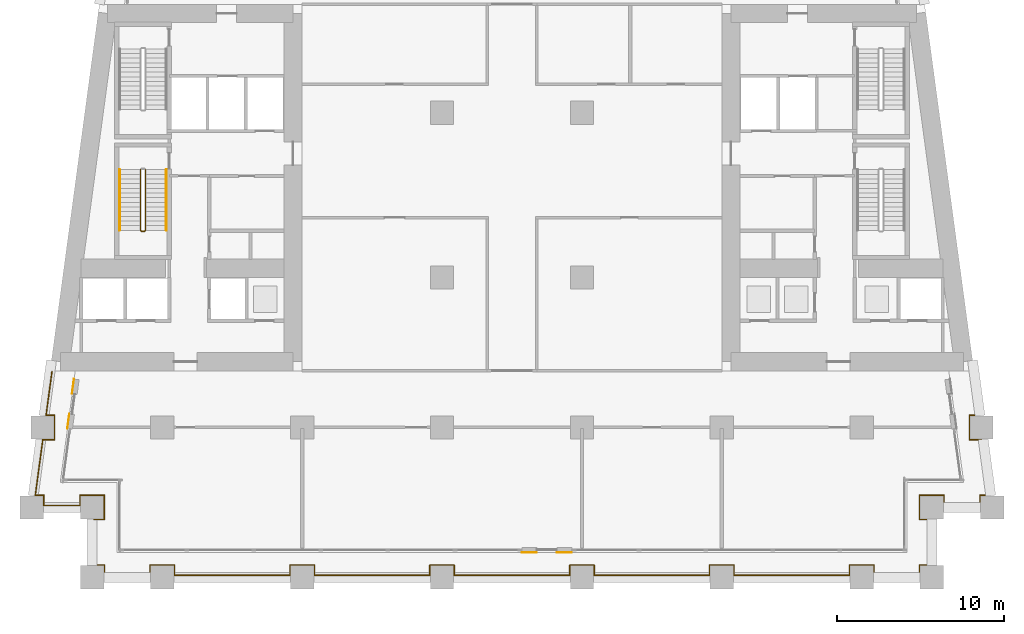
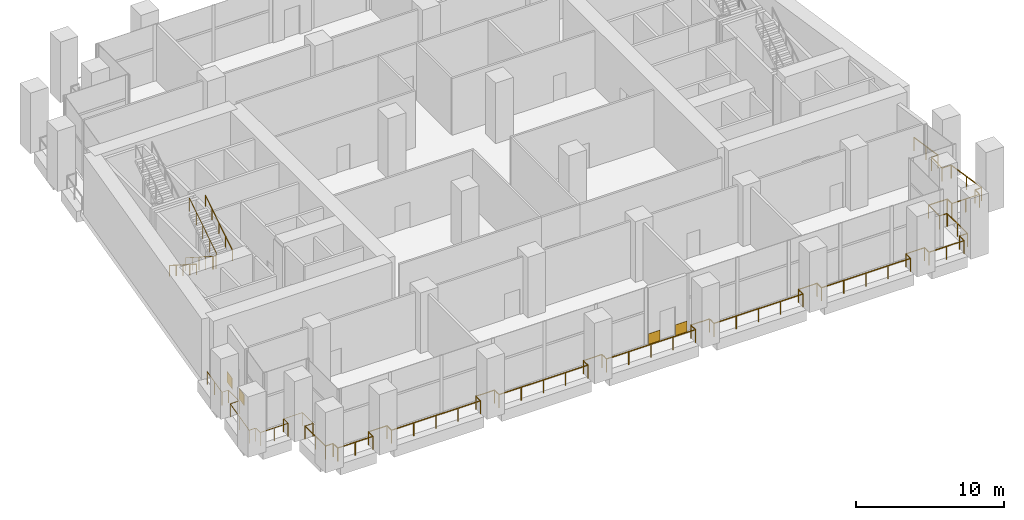
# One storey, part 11 of 15: 5 railings, 4 coverings.
"""IFC4 building model written with IfcOpenShell, lengths in metres."""

from ifc_helpers import new_model, si_unit, direction, frame, origin, origin_2d, place, context, subcontext, project, spatial, rectangle, circle, extrude, material, layer, layer_set, type_object, element, save


model = new_model("IFC4")

# Units and contexts
model_context = context("Model", 3, precision=1e-05, world=origin(), true_north=direction((0.0, 1.0)))
body_context = subcontext(model_context, "Body", "Model", "MODEL_VIEW")
ifc_project = project(units=[si_unit("LENGTHUNIT", "METRE"), si_unit("AREAUNIT", "SQUARE_METRE"), si_unit("VOLUMEUNIT", "CUBIC_METRE"), si_unit("PLANEANGLEUNIT", "RADIAN"), si_unit("MASSUNIT", "GRAM", prefix="KILO")], contexts=[model_context])

# Site, building, storey
site_placement = place(None, origin())
site = spatial("IfcSite", under=ifc_project, at=site_placement, CompositionType="ELEMENT")
building_placement = place(site_placement, origin())
building = spatial("IfcBuilding", under=site, at=building_placement, Name="Candeia Pilgrim Tower and Theatre", CompositionType="ELEMENT")
storey_placement = place(building_placement, frame((0.0, 0.0, 86.0)))
storey = spatial("IfcBuildingStorey", under=building, at=storey_placement, Name="L19", CompositionType="ELEMENT", Elevation=86.0)

# Railings
ifc_material_1 = material(Name="Stainless steel balustrade", Category="steel")
railing_type_1 = type_object("IfcRailingType", Name="G1 loggia guard 1100", PredefinedType="GUARDRAIL", material=ifc_material_1)
railing_1_placement = place(storey_placement, frame((88.320068359375, 101.469970703125, 0.0)))
element("IfcRailing", 1, at=railing_1_placement, inside=storey, type_object=railing_type_1, Name="Guard L19.1", PredefinedType="GUARDRAIL", context=body_context, shape_type="SweptSolid", body=[
    extrude(circle(Radius=0.02392578125, at=origin_2d()), frame((0.0, 0.0, 1.076171875), z_axis=(1.0, 0.0, 0.0), x_axis=(0.0, 1.0, 0.0)), (0.0, 0.0, 1.0), 0.60986328125),
    extrude(circle(Radius=0.02392578125, at=origin_2d()), frame((0.60986328125, 0.0, 1.076171875), z_axis=(0.0, 1.0, 0.0), x_axis=(-1.0, 0.0, 0.0)), (0.0, 0.0, 1.0), 1.4599609375),
    extrude(circle(Radius=0.02392578125, at=origin_2d()), frame((0.60986328125, 1.4599609375, 1.076171875), z_axis=(-1.0, 0.0, 0.0), x_axis=(0.0, -1.0, 0.0)), (0.0, 0.0, 1.0), 1.4599609375),
    extrude(circle(Radius=0.02392578125, at=origin_2d()), frame((-0.85009765625, 1.4599609375, 1.076171875), z_axis=(0.0, -1.0, 0.0), x_axis=(1.0, 0.0, 0.0)), (0.0, 0.0, 1.0), 0.60986328125),
    extrude(circle(Radius=0.02392578125, at=origin_2d()), frame((-0.85009765625, 0.85009765625, 1.076171875), z_axis=(-1.0, 0.0, 0.0), x_axis=(0.0, -1.0, 0.0)), (0.0, 0.0, 1.0), 2.174560546875),
    extrude(circle(Radius=0.02392578125, at=origin_2d()), frame((-3.024658203125, 0.85009765625, 1.076171875), z_axis=(0.0, 1.0, 0.0), x_axis=(-1.0, 0.0, 0.0)), (0.0, 0.0, 1.0), 0.60986328125),
    extrude(circle(Radius=0.02392578125, at=origin_2d()), frame((-3.024658203125, 1.4599609375, 1.076171875), z_axis=(-1.0, 0.0, 0.0), x_axis=(0.0, -1.0, 0.0)), (0.0, 0.0, 1.0), 0.5107421875),
    extrude(circle(Radius=0.02392578125, at=origin_2d()), frame((-3.535400390625, 1.4599609375, 1.076171875), z_axis=(0.133435273035, 0.991057530071, 0.0), x_axis=(-0.991057530071, 0.133435273035, 0.0)), (0.0, 0.0, 1.0), 3.3701171875),
    extrude(circle(Radius=0.02392578125, at=origin_2d()), frame((-3.085693359375, 4.800048828125, 1.076171875), z_axis=(1.0, 0.0, 0.0), x_axis=(0.0, 1.0, 0.0)), (0.0, 0.0, 1.0), 0.707275390625),
    extrude(circle(Radius=0.02392578125, at=origin_2d()), frame((-2.37841796875, 4.800048828125, 1.076171875), z_axis=(0.0, 1.0, 0.0), x_axis=(-1.0, 0.0, 0.0)), (0.0, 0.0, 1.0), 1.4599609375),
    extrude(circle(Radius=0.02392578125, at=origin_2d()), frame((-2.37841796875, 6.260009765625, 1.076171875), z_axis=(-1.0, 0.0, 0.0), x_axis=(0.0, -1.0, 0.0)), (0.0, 0.0, 1.0), 0.5107421875),
    extrude(circle(Radius=0.02392578125, at=origin_2d()), frame((-2.88916015625, 6.260009765625, 1.076171875), z_axis=(0.133439920495, 0.991056904329, 0.0), x_axis=(-0.991056904329, 0.133439920495, 0.0)), (0.0, 0.0, 1.0), 2.643798828125),
    extrude(circle(Radius=0.02099609375, at=origin_2d()), origin(), (0.0, 0.0, 1.0), 1.052001953125),
    extrude(circle(Radius=0.02099609375, at=origin_2d()), frame((0.60986328125, 0.0, 0.0)), (0.0, 0.0, 1.0), 1.052001953125),
    extrude(circle(Radius=0.02099609375, at=origin_2d()), frame((0.60986328125, 1.4599609375, 0.0)), (0.0, 0.0, 1.0), 1.052001953125),
    extrude(circle(Radius=0.02099609375, at=origin_2d()), frame((-0.85009765625, 1.4599609375, 0.0)), (0.0, 0.0, 1.0), 1.052001953125),
    extrude(circle(Radius=0.02099609375, at=origin_2d()), frame((-0.85009765625, 0.85009765625, 0.0)), (0.0, 0.0, 1.0), 1.052001953125),
    extrude(circle(Radius=0.02099609375, at=origin_2d()), frame((-1.9375, 0.85009765625, 0.0)), (0.0, 0.0, 1.0), 1.052001953125),
    extrude(circle(Radius=0.02099609375, at=origin_2d()), frame((-3.024658203125, 0.85009765625, 0.0)), (0.0, 0.0, 1.0), 1.052001953125),
    extrude(circle(Radius=0.02099609375, at=origin_2d()), frame((-3.024658203125, 1.4599609375, 0.0)), (0.0, 0.0, 1.0), 1.052001953125),
    extrude(circle(Radius=0.02099609375, at=origin_2d()), frame((-3.535400390625, 1.4599609375, 0.0)), (0.0, 0.0, 1.0), 1.052001953125),
    extrude(circle(Radius=0.02099609375, at=origin_2d()), frame((-3.310546875, 3.1298828125, 0.0)), (0.0, 0.0, 1.0), 1.052001953125),
    extrude(circle(Radius=0.02099609375, at=origin_2d()), frame((-3.085693359375, 4.800048828125, 0.0)), (0.0, 0.0, 1.0), 1.052001953125),
    extrude(circle(Radius=0.02099609375, at=origin_2d()), frame((-2.37841796875, 4.800048828125, 0.0)), (0.0, 0.0, 1.0), 1.052001953125),
    extrude(circle(Radius=0.02099609375, at=origin_2d()), frame((-2.37841796875, 6.260009765625, 0.0)), (0.0, 0.0, 1.0), 1.052001953125),
    extrude(circle(Radius=0.02099609375, at=origin_2d()), frame((-2.88916015625, 6.260009765625, 0.0)), (0.0, 0.0, 1.0), 1.052001953125),
    extrude(circle(Radius=0.02099609375, at=origin_2d()), frame((-2.712890625, 7.570068359375, 0.0)), (0.0, 0.0, 1.0), 1.052001953125),
    extrude(circle(Radius=0.02099609375, at=origin_2d()), frame((-2.536376953125, 8.880126953125, 0.0)), (0.0, 0.0, 1.0), 1.052001953125),
])
railing_2_placement = place(storey_placement, frame((141.016357421875, 110.35009765625, 0.0)))
element("IfcRailing", 2, at=railing_2_placement, inside=storey, type_object=railing_type_1, Name="Guard L19.3", PredefinedType="GUARDRAIL", context=body_context, shape_type="SweptSolid", body=[
    extrude(circle(Radius=0.02392578125, at=origin_2d()), frame((0.0, 0.0, 1.076171875), z_axis=(0.133439920495, -0.991056904329, 0.0), x_axis=(0.991056904329, 0.133439920495, 0.0)), (0.0, 0.0, 1.0), 2.643798828125),
    extrude(circle(Radius=0.02392578125, at=origin_2d()), frame((0.352783203125, -2.6201171875, 1.076171875), z_axis=(-1.0, 0.0, 0.0), x_axis=(0.0, -1.0, 0.0)), (0.0, 0.0, 1.0), 0.5107421875),
    extrude(circle(Radius=0.02392578125, at=origin_2d()), frame((-0.157958984375, -2.6201171875, 1.076171875), z_axis=(0.0, -1.0, 0.0), x_axis=(1.0, 0.0, 0.0)), (0.0, 0.0, 1.0), 1.4599609375),
    extrude(circle(Radius=0.02392578125, at=origin_2d()), frame((-0.157958984375, -4.080078125, 1.076171875), z_axis=(1.0, 0.0, 0.0), x_axis=(0.0, 1.0, 0.0)), (0.0, 0.0, 1.0), 0.707275390625),
    extrude(circle(Radius=0.02392578125, at=origin_2d()), frame((0.54931640625, -4.080078125, 1.076171875), z_axis=(0.133435273035, -0.991057530071, 0.0), x_axis=(0.991057530071, 0.133435273035, 0.0)), (0.0, 0.0, 1.0), 3.3701171875),
    extrude(circle(Radius=0.02392578125, at=origin_2d()), frame((0.9990234375, -7.420166015625, 1.076171875), z_axis=(-1.0, 0.0, 0.0), x_axis=(0.0, -1.0, 0.0)), (0.0, 0.0, 1.0), 0.5107421875),
    extrude(circle(Radius=0.02392578125, at=origin_2d()), frame((0.48828125, -7.420166015625, 1.076171875), z_axis=(0.0, -1.0, 0.0), x_axis=(1.0, 0.0, 0.0)), (0.0, 0.0, 1.0), 0.60986328125),
    extrude(circle(Radius=0.02392578125, at=origin_2d()), frame((0.48828125, -8.030029296875, 1.076171875), z_axis=(-1.0, 0.0, 0.0), x_axis=(0.0, -1.0, 0.0)), (0.0, 0.0, 1.0), 2.174560546875),
    extrude(circle(Radius=0.02392578125, at=origin_2d()), frame((-1.686279296875, -8.030029296875, 1.076171875), z_axis=(0.0, 1.0, 0.0), x_axis=(-1.0, 0.0, 0.0)), (0.0, 0.0, 1.0), 0.60986328125),
    extrude(circle(Radius=0.02392578125, at=origin_2d()), frame((-1.686279296875, -7.420166015625, 1.076171875), z_axis=(-1.0, 0.0, 0.0), x_axis=(0.0, -1.0, 0.0)), (0.0, 0.0, 1.0), 1.4599609375),
    extrude(circle(Radius=0.02392578125, at=origin_2d()), frame((-3.146240234375, -7.420166015625, 1.076171875), z_axis=(0.0, -1.0, 0.0), x_axis=(1.0, 0.0, 0.0)), (0.0, 0.0, 1.0), 1.4599609375),
    extrude(circle(Radius=0.02392578125, at=origin_2d()), frame((-3.146240234375, -8.880126953125, 1.076171875), z_axis=(1.0, 0.0, 0.0), x_axis=(0.0, 1.0, 0.0)), (0.0, 0.0, 1.0), 0.60986328125),
    extrude(circle(Radius=0.02392578125, at=origin_2d()), frame((-2.536376953125, -8.880126953125, 1.076171875), z_axis=(0.0, -1.0, 0.0), x_axis=(1.0, 0.0, 0.0)), (0.0, 0.0, 1.0), 2.739990234375),
    extrude(circle(Radius=0.02392578125, at=origin_2d()), frame((-2.536376953125, -11.6201171875, 1.076171875), z_axis=(-1.0, 0.0, 0.0), x_axis=(0.0, -1.0, 0.0)), (0.0, 0.0, 1.0), 0.60986328125),
    extrude(circle(Radius=0.02392578125, at=origin_2d()), frame((-3.146240234375, -11.6201171875, 1.076171875), z_axis=(0.0, -1.0, 0.0), x_axis=(1.0, 0.0, 0.0)), (0.0, 0.0, 1.0), 0.60986328125),
    extrude(circle(Radius=0.02392578125, at=origin_2d()), frame((-3.146240234375, -12.22998046875, 1.076171875), z_axis=(-1.0, 0.0, 0.0), x_axis=(0.0, -1.0, 0.0)), (0.0, 0.0, 1.0), 2.740234375),
    extrude(circle(Radius=0.02392578125, at=origin_2d()), frame((-5.886474609375, -12.22998046875, 1.076171875), z_axis=(0.0, 1.0, 0.0), x_axis=(-1.0, 0.0, 0.0)), (0.0, 0.0, 1.0), 0.60986328125),
    extrude(circle(Radius=0.02392578125, at=origin_2d()), frame((-5.886474609375, -11.6201171875, 1.076171875), z_axis=(-1.0, 0.0, 0.0), x_axis=(0.0, -1.0, 0.0)), (0.0, 0.0, 1.0), 1.4599609375),
    extrude(circle(Radius=0.02392578125, at=origin_2d()), frame((-7.346435546875, -11.6201171875, 1.076171875), z_axis=(0.0, -1.0, 0.0), x_axis=(1.0, 0.0, 0.0)), (0.0, 0.0, 1.0), 0.60986328125),
    extrude(circle(Radius=0.02392578125, at=origin_2d()), frame((-7.346435546875, -12.22998046875, 1.076171875), z_axis=(-1.0, 0.0, 0.0), x_axis=(0.0, -1.0, 0.0)), (0.0, 0.0, 1.0), 6.93994140625),
    extrude(circle(Radius=0.02392578125, at=origin_2d()), frame((-14.286376953125, -12.22998046875, 1.076171875), z_axis=(0.0, 1.0, 0.0), x_axis=(-1.0, 0.0, 0.0)), (0.0, 0.0, 1.0), 0.60986328125),
    extrude(circle(Radius=0.02392578125, at=origin_2d()), frame((-14.286376953125, -11.6201171875, 1.076171875), z_axis=(-1.0, 0.0, 0.0), x_axis=(0.0, -1.0, 0.0)), (0.0, 0.0, 1.0), 1.4599609375),
    extrude(circle(Radius=0.02392578125, at=origin_2d()), frame((-15.746337890625, -11.6201171875, 1.076171875), z_axis=(0.0, -1.0, 0.0), x_axis=(1.0, 0.0, 0.0)), (0.0, 0.0, 1.0), 0.60986328125),
    extrude(circle(Radius=0.02392578125, at=origin_2d()), frame((-15.746337890625, -12.22998046875, 1.076171875), z_axis=(-1.0, 0.0, 0.0), x_axis=(0.0, -1.0, 0.0)), (0.0, 0.0, 1.0), 6.93994140625),
    extrude(circle(Radius=0.02392578125, at=origin_2d()), frame((-22.686279296875, -12.22998046875, 1.076171875), z_axis=(0.0, 1.0, 0.0), x_axis=(-1.0, 0.0, 0.0)), (0.0, 0.0, 1.0), 0.60986328125),
    extrude(circle(Radius=0.02392578125, at=origin_2d()), frame((-22.686279296875, -11.6201171875, 1.076171875), z_axis=(-1.0, 0.0, 0.0), x_axis=(0.0, -1.0, 0.0)), (0.0, 0.0, 1.0), 1.4599609375),
    extrude(circle(Radius=0.02392578125, at=origin_2d()), frame((-24.146240234375, -11.6201171875, 1.076171875), z_axis=(0.0, -1.0, 0.0), x_axis=(1.0, 0.0, 0.0)), (0.0, 0.0, 1.0), 0.60986328125),
    extrude(circle(Radius=0.02392578125, at=origin_2d()), frame((-24.146240234375, -12.22998046875, 1.076171875), z_axis=(-1.0, 0.0, 0.0), x_axis=(0.0, -1.0, 0.0)), (0.0, 0.0, 1.0), 6.940185546875),
    extrude(circle(Radius=0.02392578125, at=origin_2d()), frame((-31.08642578125, -12.22998046875, 1.076171875), z_axis=(0.0, 1.0, 0.0), x_axis=(-1.0, 0.0, 0.0)), (0.0, 0.0, 1.0), 0.60986328125),
    extrude(circle(Radius=0.02392578125, at=origin_2d()), frame((-31.08642578125, -11.6201171875, 1.076171875), z_axis=(-1.0, 0.0, 0.0), x_axis=(0.0, -1.0, 0.0)), (0.0, 0.0, 1.0), 1.4599609375),
    extrude(circle(Radius=0.02392578125, at=origin_2d()), frame((-32.54638671875, -11.6201171875, 1.076171875), z_axis=(0.0, -1.0, 0.0), x_axis=(1.0, 0.0, 0.0)), (0.0, 0.0, 1.0), 0.60986328125),
    extrude(circle(Radius=0.02392578125, at=origin_2d()), frame((-32.54638671875, -12.22998046875, 1.076171875), z_axis=(-1.0, 0.0, 0.0), x_axis=(0.0, -1.0, 0.0)), (0.0, 0.0, 1.0), 6.93994140625),
    extrude(circle(Radius=0.02392578125, at=origin_2d()), frame((-39.486328125, -12.22998046875, 1.076171875), z_axis=(0.0, 1.0, 0.0), x_axis=(-1.0, 0.0, 0.0)), (0.0, 0.0, 1.0), 0.60986328125),
    extrude(circle(Radius=0.02392578125, at=origin_2d()), frame((-39.486328125, -11.6201171875, 1.076171875), z_axis=(-1.0, 0.0, 0.0), x_axis=(0.0, -1.0, 0.0)), (0.0, 0.0, 1.0), 1.4599609375),
    extrude(circle(Radius=0.02392578125, at=origin_2d()), frame((-40.9462890625, -11.6201171875, 1.076171875), z_axis=(0.0, -1.0, 0.0), x_axis=(1.0, 0.0, 0.0)), (0.0, 0.0, 1.0), 0.60986328125),
    extrude(circle(Radius=0.02392578125, at=origin_2d()), frame((-40.9462890625, -12.22998046875, 1.076171875), z_axis=(-1.0, 0.0, 0.0), x_axis=(0.0, -1.0, 0.0)), (0.0, 0.0, 1.0), 6.940185546875),
    extrude(circle(Radius=0.02392578125, at=origin_2d()), frame((-47.886474609375, -12.22998046875, 1.076171875), z_axis=(0.0, 1.0, 0.0), x_axis=(-1.0, 0.0, 0.0)), (0.0, 0.0, 1.0), 0.60986328125),
    extrude(circle(Radius=0.02392578125, at=origin_2d()), frame((-47.886474609375, -11.6201171875, 1.076171875), z_axis=(-1.0, 0.0, 0.0), x_axis=(0.0, -1.0, 0.0)), (0.0, 0.0, 1.0), 1.4599609375),
    extrude(circle(Radius=0.02392578125, at=origin_2d()), frame((-49.346435546875, -11.6201171875, 1.076171875), z_axis=(0.0, -1.0, 0.0), x_axis=(1.0, 0.0, 0.0)), (0.0, 0.0, 1.0), 0.60986328125),
    extrude(circle(Radius=0.02392578125, at=origin_2d()), frame((-49.346435546875, -12.22998046875, 1.076171875), z_axis=(-1.0, 0.0, 0.0), x_axis=(0.0, -1.0, 0.0)), (0.0, 0.0, 1.0), 2.739990234375),
    extrude(circle(Radius=0.02392578125, at=origin_2d()), frame((-52.08642578125, -12.22998046875, 1.076171875), z_axis=(0.0, 1.0, 0.0), x_axis=(-1.0, 0.0, 0.0)), (0.0, 0.0, 1.0), 0.60986328125),
    extrude(circle(Radius=0.02392578125, at=origin_2d()), frame((-52.08642578125, -11.6201171875, 1.076171875), z_axis=(-1.0, 0.0, 0.0), x_axis=(0.0, -1.0, 0.0)), (0.0, 0.0, 1.0), 0.60986328125),
    extrude(circle(Radius=0.02392578125, at=origin_2d()), frame((-52.6962890625, -11.6201171875, 1.076171875), z_axis=(0.0, 1.0, 0.0), x_axis=(-1.0, 0.0, 0.0)), (0.0, 0.0, 1.0), 2.739990234375),
    extrude(circle(Radius=0.02099609375, at=origin_2d()), origin(), (0.0, 0.0, 1.0), 1.052001953125),
    extrude(circle(Radius=0.02099609375, at=origin_2d()), frame((0.17626953125, -1.31005859375, 0.0)), (0.0, 0.0, 1.0), 1.052001953125),
    extrude(circle(Radius=0.02099609375, at=origin_2d()), frame((0.352783203125, -2.6201171875, 0.0)), (0.0, 0.0, 1.0), 1.052001953125),
    extrude(circle(Radius=0.02099609375, at=origin_2d()), frame((-0.157958984375, -2.6201171875, 0.0)), (0.0, 0.0, 1.0), 1.052001953125),
    extrude(circle(Radius=0.02099609375, at=origin_2d()), frame((-0.157958984375, -4.080078125, 0.0)), (0.0, 0.0, 1.0), 1.052001953125),
    extrude(circle(Radius=0.02099609375, at=origin_2d()), frame((0.54931640625, -4.080078125, 0.0)), (0.0, 0.0, 1.0), 1.052001953125),
    extrude(circle(Radius=0.02099609375, at=origin_2d()), frame((0.774169921875, -5.75, 0.0)), (0.0, 0.0, 1.0), 1.052001953125),
    extrude(circle(Radius=0.02099609375, at=origin_2d()), frame((0.9990234375, -7.420166015625, 0.0)), (0.0, 0.0, 1.0), 1.052001953125),
    extrude(circle(Radius=0.02099609375, at=origin_2d()), frame((0.48828125, -7.420166015625, 0.0)), (0.0, 0.0, 1.0), 1.052001953125),
    extrude(circle(Radius=0.02099609375, at=origin_2d()), frame((0.48828125, -8.030029296875, 0.0)), (0.0, 0.0, 1.0), 1.052001953125),
    extrude(circle(Radius=0.02099609375, at=origin_2d()), frame((-0.59912109375, -8.030029296875, 0.0)), (0.0, 0.0, 1.0), 1.052001953125),
    extrude(circle(Radius=0.02099609375, at=origin_2d()), frame((-1.686279296875, -8.030029296875, 0.0)), (0.0, 0.0, 1.0), 1.052001953125),
    extrude(circle(Radius=0.02099609375, at=origin_2d()), frame((-1.686279296875, -7.420166015625, 0.0)), (0.0, 0.0, 1.0), 1.052001953125),
    extrude(circle(Radius=0.02099609375, at=origin_2d()), frame((-3.146240234375, -7.420166015625, 0.0)), (0.0, 0.0, 1.0), 1.052001953125),
    extrude(circle(Radius=0.02099609375, at=origin_2d()), frame((-3.146240234375, -8.880126953125, 0.0)), (0.0, 0.0, 1.0), 1.052001953125),
    extrude(circle(Radius=0.02099609375, at=origin_2d()), frame((-2.536376953125, -8.880126953125, 0.0)), (0.0, 0.0, 1.0), 1.052001953125),
    extrude(circle(Radius=0.02099609375, at=origin_2d()), frame((-2.536376953125, -10.25, 0.0)), (0.0, 0.0, 1.0), 1.052001953125),
    extrude(circle(Radius=0.02099609375, at=origin_2d()), frame((-2.536376953125, -11.6201171875, 0.0)), (0.0, 0.0, 1.0), 1.052001953125),
    extrude(circle(Radius=0.02099609375, at=origin_2d()), frame((-3.146240234375, -11.6201171875, 0.0)), (0.0, 0.0, 1.0), 1.052001953125),
    extrude(circle(Radius=0.02099609375, at=origin_2d()), frame((-3.146240234375, -12.22998046875, 0.0)), (0.0, 0.0, 1.0), 1.052001953125),
    extrude(circle(Radius=0.02099609375, at=origin_2d()), frame((-4.516357421875, -12.22998046875, 0.0)), (0.0, 0.0, 1.0), 1.052001953125),
    extrude(circle(Radius=0.02099609375, at=origin_2d()), frame((-5.886474609375, -12.22998046875, 0.0)), (0.0, 0.0, 1.0), 1.052001953125),
    extrude(circle(Radius=0.02099609375, at=origin_2d()), frame((-5.886474609375, -11.6201171875, 0.0)), (0.0, 0.0, 1.0), 1.052001953125),
    extrude(circle(Radius=0.02099609375, at=origin_2d()), frame((-7.346435546875, -11.6201171875, 0.0)), (0.0, 0.0, 1.0), 1.052001953125),
    extrude(circle(Radius=0.02099609375, at=origin_2d()), frame((-7.346435546875, -12.22998046875, 0.0)), (0.0, 0.0, 1.0), 1.052001953125),
    extrude(circle(Radius=0.02099609375, at=origin_2d()), frame((-9.08154296875, -12.22998046875, 0.0)), (0.0, 0.0, 1.0), 1.052001953125),
    extrude(circle(Radius=0.02099609375, at=origin_2d()), frame((-10.81640625, -12.22998046875, 0.0)), (0.0, 0.0, 1.0), 1.052001953125),
    extrude(circle(Radius=0.02099609375, at=origin_2d()), frame((-12.55126953125, -12.22998046875, 0.0)), (0.0, 0.0, 1.0), 1.052001953125),
    extrude(circle(Radius=0.02099609375, at=origin_2d()), frame((-14.286376953125, -12.22998046875, 0.0)), (0.0, 0.0, 1.0), 1.052001953125),
    extrude(circle(Radius=0.02099609375, at=origin_2d()), frame((-14.286376953125, -11.6201171875, 0.0)), (0.0, 0.0, 1.0), 1.052001953125),
    extrude(circle(Radius=0.02099609375, at=origin_2d()), frame((-15.746337890625, -11.6201171875, 0.0)), (0.0, 0.0, 1.0), 1.052001953125),
    extrude(circle(Radius=0.02099609375, at=origin_2d()), frame((-15.746337890625, -12.22998046875, 0.0)), (0.0, 0.0, 1.0), 1.052001953125),
    extrude(circle(Radius=0.02099609375, at=origin_2d()), frame((-17.4814453125, -12.22998046875, 0.0)), (0.0, 0.0, 1.0), 1.052001953125),
    extrude(circle(Radius=0.02099609375, at=origin_2d()), frame((-19.21630859375, -12.22998046875, 0.0)), (0.0, 0.0, 1.0), 1.052001953125),
    extrude(circle(Radius=0.02099609375, at=origin_2d()), frame((-20.951171875, -12.22998046875, 0.0)), (0.0, 0.0, 1.0), 1.052001953125),
    extrude(circle(Radius=0.02099609375, at=origin_2d()), frame((-22.686279296875, -12.22998046875, 0.0)), (0.0, 0.0, 1.0), 1.052001953125),
    extrude(circle(Radius=0.02099609375, at=origin_2d()), frame((-22.686279296875, -11.6201171875, 0.0)), (0.0, 0.0, 1.0), 1.052001953125),
    extrude(circle(Radius=0.02099609375, at=origin_2d()), frame((-24.146240234375, -11.6201171875, 0.0)), (0.0, 0.0, 1.0), 1.052001953125),
    extrude(circle(Radius=0.02099609375, at=origin_2d()), frame((-24.146240234375, -12.22998046875, 0.0)), (0.0, 0.0, 1.0), 1.052001953125),
    extrude(circle(Radius=0.02099609375, at=origin_2d()), frame((-25.88134765625, -12.22998046875, 0.0)), (0.0, 0.0, 1.0), 1.052001953125),
    extrude(circle(Radius=0.02099609375, at=origin_2d()), frame((-27.6162109375, -12.22998046875, 0.0)), (0.0, 0.0, 1.0), 1.052001953125),
    extrude(circle(Radius=0.02099609375, at=origin_2d()), frame((-29.351318359375, -12.22998046875, 0.0)), (0.0, 0.0, 1.0), 1.052001953125),
    extrude(circle(Radius=0.02099609375, at=origin_2d()), frame((-31.08642578125, -12.22998046875, 0.0)), (0.0, 0.0, 1.0), 1.052001953125),
    extrude(circle(Radius=0.02099609375, at=origin_2d()), frame((-31.08642578125, -11.6201171875, 0.0)), (0.0, 0.0, 1.0), 1.052001953125),
    extrude(circle(Radius=0.02099609375, at=origin_2d()), frame((-32.54638671875, -11.6201171875, 0.0)), (0.0, 0.0, 1.0), 1.052001953125),
    extrude(circle(Radius=0.02099609375, at=origin_2d()), frame((-32.54638671875, -12.22998046875, 0.0)), (0.0, 0.0, 1.0), 1.052001953125),
    extrude(circle(Radius=0.02099609375, at=origin_2d()), frame((-34.28125, -12.22998046875, 0.0)), (0.0, 0.0, 1.0), 1.052001953125),
    extrude(circle(Radius=0.02099609375, at=origin_2d()), frame((-36.016357421875, -12.22998046875, 0.0)), (0.0, 0.0, 1.0), 1.052001953125),
    extrude(circle(Radius=0.02099609375, at=origin_2d()), frame((-37.75146484375, -12.22998046875, 0.0)), (0.0, 0.0, 1.0), 1.052001953125),
    extrude(circle(Radius=0.02099609375, at=origin_2d()), frame((-39.486328125, -12.22998046875, 0.0)), (0.0, 0.0, 1.0), 1.052001953125),
    extrude(circle(Radius=0.02099609375, at=origin_2d()), frame((-39.486328125, -11.6201171875, 0.0)), (0.0, 0.0, 1.0), 1.052001953125),
    extrude(circle(Radius=0.02099609375, at=origin_2d()), frame((-40.9462890625, -11.6201171875, 0.0)), (0.0, 0.0, 1.0), 1.052001953125),
    extrude(circle(Radius=0.02099609375, at=origin_2d()), frame((-40.9462890625, -12.22998046875, 0.0)), (0.0, 0.0, 1.0), 1.052001953125),
    extrude(circle(Radius=0.02099609375, at=origin_2d()), frame((-42.681396484375, -12.22998046875, 0.0)), (0.0, 0.0, 1.0), 1.052001953125),
    extrude(circle(Radius=0.02099609375, at=origin_2d()), frame((-44.41650390625, -12.22998046875, 0.0)), (0.0, 0.0, 1.0), 1.052001953125),
    extrude(circle(Radius=0.02099609375, at=origin_2d()), frame((-46.1513671875, -12.22998046875, 0.0)), (0.0, 0.0, 1.0), 1.052001953125),
    extrude(circle(Radius=0.02099609375, at=origin_2d()), frame((-47.886474609375, -12.22998046875, 0.0)), (0.0, 0.0, 1.0), 1.052001953125),
    extrude(circle(Radius=0.02099609375, at=origin_2d()), frame((-47.886474609375, -11.6201171875, 0.0)), (0.0, 0.0, 1.0), 1.052001953125),
    extrude(circle(Radius=0.02099609375, at=origin_2d()), frame((-49.346435546875, -11.6201171875, 0.0)), (0.0, 0.0, 1.0), 1.052001953125),
    extrude(circle(Radius=0.02099609375, at=origin_2d()), frame((-49.346435546875, -12.22998046875, 0.0)), (0.0, 0.0, 1.0), 1.052001953125),
    extrude(circle(Radius=0.02099609375, at=origin_2d()), frame((-50.71630859375, -12.22998046875, 0.0)), (0.0, 0.0, 1.0), 1.052001953125),
    extrude(circle(Radius=0.02099609375, at=origin_2d()), frame((-52.08642578125, -12.22998046875, 0.0)), (0.0, 0.0, 1.0), 1.052001953125),
    extrude(circle(Radius=0.02099609375, at=origin_2d()), frame((-52.08642578125, -11.6201171875, 0.0)), (0.0, 0.0, 1.0), 1.052001953125),
    extrude(circle(Radius=0.02099609375, at=origin_2d()), frame((-52.6962890625, -11.6201171875, 0.0)), (0.0, 0.0, 1.0), 1.052001953125),
    extrude(circle(Radius=0.02099609375, at=origin_2d()), frame((-52.6962890625, -10.25, 0.0)), (0.0, 0.0, 1.0), 1.052001953125),
    extrude(circle(Radius=0.02099609375, at=origin_2d()), frame((-52.6962890625, -8.880126953125, 0.0)), (0.0, 0.0, 1.0), 1.052001953125),
])

# Coverings
ifc_material_2 = material(Name="Glazed ceramic tile red")
ifc_layer_1 = layer(ifc_material_2, 0.02001953125)
ifc_layer_set_1 = layer_set([ifc_layer_1], Name="Glazed ceramic tile red")
covering_type_1 = type_object("IfcCoveringType", Name="Glazed ceramic tile red", PredefinedType="CLADDING", material=ifc_layer_set_1)
for number, where, z_axis, x_axis, name in (
    (3, (87.04638671875, 109.4619140625, 0.0), (0.0, 0.0, 1.0), (-0.133412012145, -0.991060661622, 0.0), "Tile cladding red L19"),
    (4, (86.76611328125, 107.380615234375, 0.0), (0.0, 0.0, 1.0), (-0.133412012145, -0.991060661622, 0.0), "Tile cladding red L19"),
):
    element("IfcCovering", number, at=place(storey_placement, frame(where, z_axis=z_axis, x_axis=x_axis)), inside=storey, type_object=covering_type_1, Name=name, PredefinedType="CLADDING", context=body_context, shape_type="SweptSolid", body=[
        extrude(rectangle(XDim=0.89990234375, YDim=0.02001953125, at=origin_2d()), origin(), (0.0, 0.0, 1.0), 0.89990234375),
    ])
ifc_material_3 = material(Name="Glazed ceramic tile rust")
ifc_layer_2 = layer(ifc_material_3, 0.02001953125)
ifc_layer_set_2 = layer_set([ifc_layer_2], Name="Glazed ceramic tile rust")
covering_type_2 = type_object("IfcCoveringType", Name="Glazed ceramic tile rust", PredefinedType="CLADDING", material=ifc_layer_set_2)
for number, where, z_axis, x_axis, name in (
    (5, (114.449951171875, 99.489990234375, 0.0), (0.0, 0.0, 1.0), (1.0, 0.0, 0.0), "Tile cladding rust L19"),
    (6, (116.550048828125, 99.489990234375, 0.0), (0.0, 0.0, 1.0), (1.0, 0.0, 0.0), "Tile cladding rust L19"),
):
    element("IfcCovering", number, at=place(storey_placement, frame(where, z_axis=z_axis, x_axis=x_axis)), inside=storey, type_object=covering_type_2, Name=name, PredefinedType="CLADDING", context=body_context, shape_type="SweptSolid", body=[
        extrude(rectangle(XDim=0.89990234375, YDim=0.02001953125, at=origin_2d()), origin(), (0.0, 0.0, 1.0), 0.89990234375),
    ])

# Railings
railing_type_2 = type_object("IfcRailingType", Name="RL-GUARD-1100", PredefinedType="GUARDRAIL", material=ifc_material_1)
railing_3_placement = place(storey_placement, frame((91.10205078125, 122.47509765625, 0.178466796875)))
element("IfcRailing", 7, at=railing_3_placement, inside=storey, type_object=railing_type_2, Name="L19 ST1 stair guard 1", PredefinedType="GUARDRAIL", context=body_context, shape_type="SweptSolid", body=[
    extrude(circle(Radius=0.02392578125, at=origin_2d()), frame((0.0, 0.0, 1.076171875), z_axis=(0.0, -0.843127859045, 0.537713132908), x_axis=(1.0, 0.0, 0.0)), (0.0, 0.0, 1.0), 4.3173828125),
    extrude(circle(Radius=0.02392578125, at=origin_2d()), frame((0.0, -3.64013671875, 3.3974609375), z_axis=(0.707106781187, -0.707106781187, 0.0), x_axis=(0.707106781187, 0.707106781187, 0.0)), (0.0, 0.0, 1.0), 0.07080078125),
    extrude(circle(Radius=0.02392578125, at=origin_2d()), frame((0.050048828125, -3.690185546875, 3.3974609375), z_axis=(1.0, 0.0, 0.0), x_axis=(0.0, 1.0, 0.0)), (0.0, 0.0, 1.0), 0.199951171875),
    extrude(circle(Radius=0.02392578125, at=origin_2d()), frame((0.25, -3.690185546875, 3.3974609375), z_axis=(0.260684529273, 0.260684529273, 0.929562882432), x_axis=(-0.707106781187, 0.707106781187, 0.0)), (0.0, 0.0, 1.0), 0.19189453125),
    extrude(circle(Radius=0.02392578125, at=origin_2d()), frame((0.300048828125, -3.64013671875, 3.576171875), z_axis=(0.0, 0.843127859045, 0.537713132908), x_axis=(-1.0, 0.0, 0.0)), (0.0, 0.0, 1.0), 4.3173828125),
    extrude(circle(Radius=0.02099609375, at=origin_2d()), origin(), (0.0, 0.0, 1.0), 1.052001953125),
    extrude(circle(Radius=0.02099609375, at=origin_2d()), frame((0.0, -0.91015625, 0.580322265625)), (0.0, 0.0, 1.0), 1.052001953125),
    extrude(circle(Radius=0.02099609375, at=origin_2d()), frame((0.0, -1.820068359375, 1.16064453125)), (0.0, 0.0, 1.0), 1.052001953125),
    extrude(circle(Radius=0.02099609375, at=origin_2d()), frame((0.0, -2.72998046875, 1.7412109375)), (0.0, 0.0, 1.0), 1.052001953125),
    extrude(circle(Radius=0.02099609375, at=origin_2d()), frame((0.0, -3.64013671875, 2.321533203125)), (0.0, 0.0, 1.0), 1.052001953125),
    extrude(circle(Radius=0.02099609375, at=origin_2d()), frame((0.050048828125, -3.690185546875, 2.321533203125)), (0.0, 0.0, 1.0), 1.052001953125),
    extrude(circle(Radius=0.02099609375, at=origin_2d()), frame((0.25, -3.690185546875, 2.321533203125)), (0.0, 0.0, 1.0), 1.052001953125),
    extrude(circle(Radius=0.02099609375, at=origin_2d()), frame((0.300048828125, -3.64013671875, 2.5)), (0.0, 0.0, 1.0), 1.052001953125),
    extrude(circle(Radius=0.02099609375, at=origin_2d()), frame((0.300048828125, -2.72998046875, 3.080322265625)), (0.0, 0.0, 1.0), 1.052001953125),
    extrude(circle(Radius=0.02099609375, at=origin_2d()), frame((0.300048828125, -1.820068359375, 3.66064453125)), (0.0, 0.0, 1.0), 1.052001953125),
    extrude(circle(Radius=0.02099609375, at=origin_2d()), frame((0.300048828125, -0.91015625, 4.2412109375)), (0.0, 0.0, 1.0), 1.052001953125),
    extrude(circle(Radius=0.02099609375, at=origin_2d()), frame((0.300048828125, 0.0, 4.821533203125)), (0.0, 0.0, 1.0), 1.052001953125),
])
ifc_material_4 = material(Name="Stainless steel handrail", Category="steel")
railing_type_3 = type_object("IfcRailingType", Name="RL-HANDRAIL-900", PredefinedType="HANDRAIL", material=ifc_material_4)
railing_4_placement = place(storey_placement, frame((89.85205078125, 122.47509765625, 0.178466796875)))
element("IfcRailing", 8, at=railing_4_placement, inside=storey, type_object=railing_type_3, Name="L19 ST1 stair handrail 1", PredefinedType="HANDRAIL", context=body_context, shape_type="SweptSolid", body=[
    extrude(circle(Radius=0.02392578125, at=origin_2d()), frame((0.0, 0.0, 0.8759765625), z_axis=(0.0, -0.843127859045, 0.537713132908), x_axis=(1.0, 0.0, 0.0)), (0.0, 0.0, 1.0), 4.3173828125),
    extrude(circle(Radius=0.02099609375, at=origin_2d()), origin(), (0.0, 0.0, 1.0), 0.851806640625),
    extrude(circle(Radius=0.02099609375, at=origin_2d()), frame((0.0, -0.91015625, 0.580322265625)), (0.0, 0.0, 1.0), 0.851806640625),
    extrude(circle(Radius=0.02099609375, at=origin_2d()), frame((0.0, -1.820068359375, 1.16064453125)), (0.0, 0.0, 1.0), 0.851806640625),
    extrude(circle(Radius=0.02099609375, at=origin_2d()), frame((0.0, -2.72998046875, 1.7412109375)), (0.0, 0.0, 1.0), 0.851806640625),
    extrude(circle(Radius=0.02099609375, at=origin_2d()), frame((0.0, -3.64013671875, 2.321533203125)), (0.0, 0.0, 1.0), 0.851806640625),
])
railing_5_placement = place(storey_placement, frame((92.652099609375, 118.8349609375, 2.678466796875)))
element("IfcRailing", 9, at=railing_5_placement, inside=storey, type_object=railing_type_3, Name="L19 ST1 stair handrail 2", PredefinedType="HANDRAIL", context=body_context, shape_type="SweptSolid", body=[
    extrude(circle(Radius=0.02392578125, at=origin_2d()), frame((0.0, 0.0, 0.8759765625), z_axis=(0.0, 0.843127859045, 0.537713132908), x_axis=(-1.0, 0.0, 0.0)), (0.0, 0.0, 1.0), 4.3173828125),
    extrude(circle(Radius=0.02099609375, at=origin_2d()), origin(), (0.0, 0.0, 1.0), 0.851806640625),
    extrude(circle(Radius=0.02099609375, at=origin_2d()), frame((0.0, 0.91015625, 0.580322265625)), (0.0, 0.0, 1.0), 0.851806640625),
    extrude(circle(Radius=0.02099609375, at=origin_2d()), frame((0.0, 1.820068359375, 1.16064453125)), (0.0, 0.0, 1.0), 0.851806640625),
    extrude(circle(Radius=0.02099609375, at=origin_2d()), frame((0.0, 2.72998046875, 1.7412109375)), (0.0, 0.0, 1.0), 0.851806640625),
    extrude(circle(Radius=0.02099609375, at=origin_2d()), frame((0.0, 3.64013671875, 2.321533203125)), (0.0, 0.0, 1.0), 0.851806640625),
])

save(model, "model.ifc")
